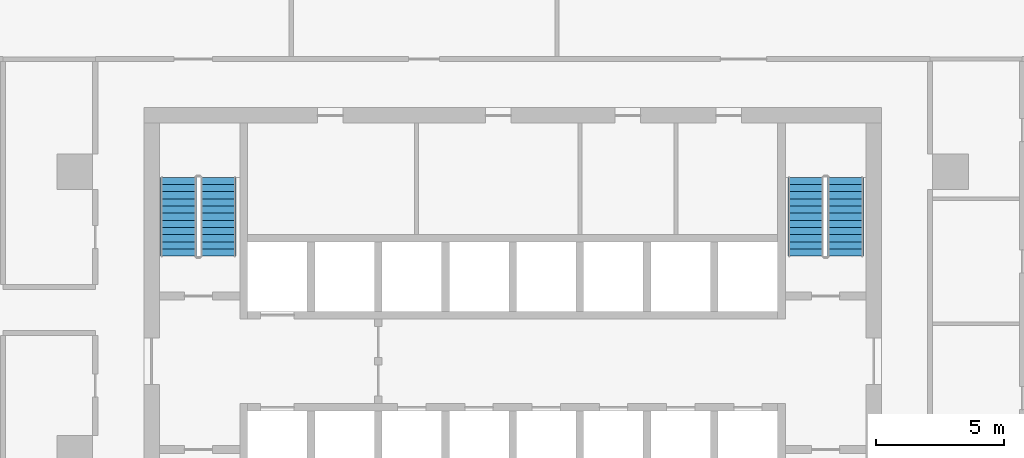
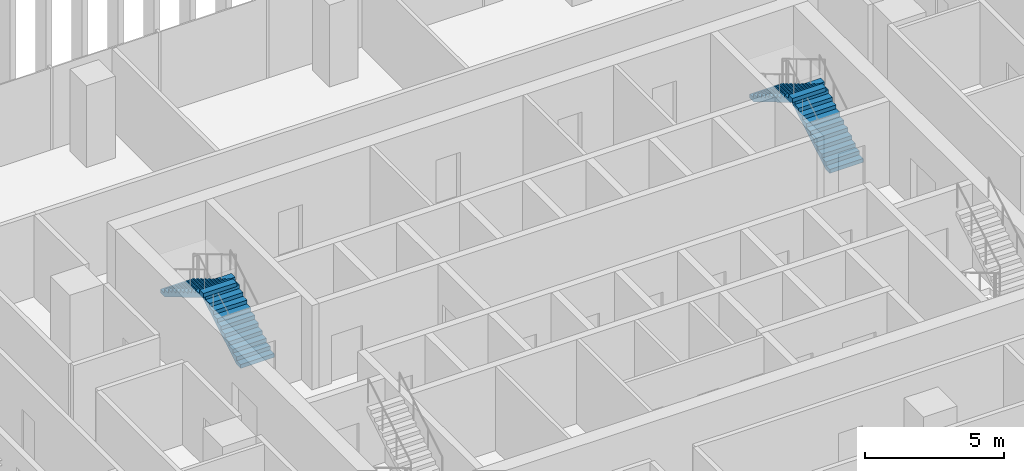
# One storey, part 11 of 15: 4 stair flights, 2 elements without a shape of their own.
"""IFC4 building model written with IfcOpenShell, lengths in metres."""

from ifc_helpers import new_model, si_unit, direction, frame, origin, place, context, subcontext, project, spatial, polyline, outline, extrude, material, type_object, element, aggregate, save


model = new_model("IFC4")

# Units and contexts
model_context = context("Model", 3, precision=1e-05, world=origin(), true_north=direction((0.0, 1.0)))
body_context = subcontext(model_context, "Body", "Model", "MODEL_VIEW")
ifc_project = project(units=[si_unit("LENGTHUNIT", "METRE"), si_unit("AREAUNIT", "SQUARE_METRE"), si_unit("VOLUMEUNIT", "CUBIC_METRE"), si_unit("PLANEANGLEUNIT", "RADIAN"), si_unit("MASSUNIT", "GRAM", prefix="KILO")], contexts=[model_context])

# Site, building, storey
site_placement = place(None, origin())
site = spatial("IfcSite", under=ifc_project, at=site_placement, CompositionType="ELEMENT")
building_placement = place(site_placement, origin())
building = spatial("IfcBuilding", under=site, at=building_placement, Name="Mopane Tessera Tower", CompositionType="ELEMENT")
storey_placement = place(building_placement, frame((0.0, 0.0, 169.0)))
storey = spatial("IfcBuildingStorey", under=building, at=storey_placement, Name="L34", CompositionType="ELEMENT", Elevation=169.0)

# Stair, stair flights
ifc_material_1 = material(Name="Concrete C50/60", Category="concrete")
stair_type = type_object("IfcStairType", Name="Escape stair 1400 mm, riser 167 mm", PredefinedType="HALF_TURN_STAIR", material=ifc_material_1)
stair_1_placement = place(storey_placement, origin())
stair_1 = element("IfcStair", 1, at=stair_1_placement, inside=storey, type_object=stair_type, Name="L34 Escape stair north-west", PredefinedType="HALF_TURN_STAIR")
ifc_material_2 = material(Name="Concrete C50/60", Category="concrete")
stair_flight_type = type_object("IfcStairFlightType", Name="Escape stair flight 1400 mm", PredefinedType="STRAIGHT", material=ifc_material_2)
stair_flight_1_placement = place(storey_placement, frame((-11.5, 7.699951171875, 0.0), z_axis=(0.0, 0.0, 1.0), x_axis=(0.0, 1.0, 0.0)))
stair_flight_1 = element("IfcStairFlight", 2, at=stair_flight_1_placement, type_object=stair_flight_type, Name="ST2 flight 1", NumberOfRisers=12, NumberOfTreads=11, PredefinedType="STRAIGHT", RiserHeight=0.166666667, TreadLength=0.28, context=body_context, shape_type="SweptSolid", body=[
    extrude(outline(polyline([(0.0, 0.0), (0.0, 0.166748046875), (0.280029296875, 0.166748046875), (0.280029296875, 0.333251953125), (0.56005859375, 0.333251953125), (0.56005859375, 0.5), (0.840087890625, 0.5), (0.840087890625, 0.666748046875), (1.1201171875, 0.666748046875), (1.1201171875, 0.833251953125), (1.39990234375, 0.833251953125), (1.39990234375, 1.0), (1.679931640625, 1.0), (1.679931640625, 1.166748046875), (1.9599609375, 1.166748046875), (1.9599609375, 1.333251953125), (2.239990234375, 1.333251953125), (2.239990234375, 1.5), (2.52001953125, 1.5), (2.52001953125, 1.666748046875), (2.800048828125, 1.666748046875), (2.800048828125, 1.833251953125), (3.080078125, 1.833251953125), (3.080078125, 2.0), (3.080078125, 1.658935546875), (0.29296875, 0.0), (0.0, 0.0)])), frame((0.0, 0.699951171875, 0.0), z_axis=(0.0, -1.0, 0.0), x_axis=(1.0, 0.0, 0.0)), (0.0, 0.0, 1.0), 1.39990234375),
])
stair_flight_2_placement = place(storey_placement, frame((-13.050048828125, 10.780029296875, 2.0), z_axis=(0.0, 0.0, 1.0), x_axis=(0.0, -1.0, 0.0)))
stair_flight_2 = element("IfcStairFlight", 3, at=stair_flight_2_placement, type_object=stair_flight_type, Name="ST2 flight 2", NumberOfRisers=12, NumberOfTreads=11, PredefinedType="STRAIGHT", RiserHeight=0.166666667, TreadLength=0.28, context=body_context, shape_type="SweptSolid", body=[
    extrude(outline(polyline([(0.0, 0.0), (0.0, 0.166748046875), (0.280029296875, 0.166748046875), (0.280029296875, 0.333251953125), (0.56005859375, 0.333251953125), (0.56005859375, 0.5), (0.840087890625, 0.5), (0.840087890625, 0.666748046875), (1.1201171875, 0.666748046875), (1.1201171875, 0.833251953125), (1.39990234375, 0.833251953125), (1.39990234375, 1.0), (1.679931640625, 1.0), (1.679931640625, 1.166748046875), (1.9599609375, 1.166748046875), (1.9599609375, 1.333251953125), (2.239990234375, 1.333251953125), (2.239990234375, 1.5), (2.52001953125, 1.5), (2.52001953125, 1.666748046875), (2.800048828125, 1.666748046875), (2.800048828125, 1.833251953125), (3.080078125, 1.833251953125), (3.080078125, 2.0), (3.080078125, 1.658935546875), (0.29296875, 0.0), (0.0, 0.0)])), frame((0.0, 0.699951171875, 0.0), z_axis=(0.0, -1.0, 0.0), x_axis=(1.0, 0.0, 0.0)), (0.0, 0.0, 1.0), 1.39990234375),
])
aggregate(stair_1, [stair_flight_1, stair_flight_2])

stair_2_placement = place(storey_placement, origin())
stair_2 = element("IfcStair", 4, at=stair_2_placement, inside=storey, type_object=stair_type, Name="L34 Escape stair north-east", PredefinedType="HALF_TURN_STAIR")
stair_flight_3_placement = place(storey_placement, frame((13.0, 7.699951171875, 0.0), z_axis=(0.0, 0.0, 1.0), x_axis=(0.0, 1.0, 0.0)))
stair_flight_3 = element("IfcStairFlight", 5, at=stair_flight_3_placement, type_object=stair_flight_type, Name="ST4 flight 1", NumberOfRisers=12, NumberOfTreads=11, PredefinedType="STRAIGHT", RiserHeight=0.166666667, TreadLength=0.28, context=body_context, shape_type="SweptSolid", body=[
    extrude(outline(polyline([(0.0, 0.0), (0.0, 0.166748046875), (0.280029296875, 0.166748046875), (0.280029296875, 0.333251953125), (0.56005859375, 0.333251953125), (0.56005859375, 0.5), (0.840087890625, 0.5), (0.840087890625, 0.666748046875), (1.1201171875, 0.666748046875), (1.1201171875, 0.833251953125), (1.39990234375, 0.833251953125), (1.39990234375, 1.0), (1.679931640625, 1.0), (1.679931640625, 1.166748046875), (1.9599609375, 1.166748046875), (1.9599609375, 1.333251953125), (2.239990234375, 1.333251953125), (2.239990234375, 1.5), (2.52001953125, 1.5), (2.52001953125, 1.666748046875), (2.800048828125, 1.666748046875), (2.800048828125, 1.833251953125), (3.080078125, 1.833251953125), (3.080078125, 2.0), (3.080078125, 1.658935546875), (0.29296875, 0.0), (0.0, 0.0)])), frame((0.0, 0.699951171875, 0.0), z_axis=(0.0, -1.0, 0.0), x_axis=(1.0, 0.0, 0.0)), (0.0, 0.0, 1.0), 1.39990234375),
])
stair_flight_4_placement = place(storey_placement, frame((11.449951171875, 10.780029296875, 2.0), z_axis=(0.0, 0.0, 1.0), x_axis=(0.0, -1.0, 0.0)))
stair_flight_4 = element("IfcStairFlight", 6, at=stair_flight_4_placement, type_object=stair_flight_type, Name="ST4 flight 2", NumberOfRisers=12, NumberOfTreads=11, PredefinedType="STRAIGHT", RiserHeight=0.166666667, TreadLength=0.28, context=body_context, shape_type="SweptSolid", body=[
    extrude(outline(polyline([(0.0, 0.0), (0.0, 0.166748046875), (0.280029296875, 0.166748046875), (0.280029296875, 0.333251953125), (0.56005859375, 0.333251953125), (0.56005859375, 0.5), (0.840087890625, 0.5), (0.840087890625, 0.666748046875), (1.1201171875, 0.666748046875), (1.1201171875, 0.833251953125), (1.39990234375, 0.833251953125), (1.39990234375, 1.0), (1.679931640625, 1.0), (1.679931640625, 1.166748046875), (1.9599609375, 1.166748046875), (1.9599609375, 1.333251953125), (2.239990234375, 1.333251953125), (2.239990234375, 1.5), (2.52001953125, 1.5), (2.52001953125, 1.666748046875), (2.800048828125, 1.666748046875), (2.800048828125, 1.833251953125), (3.080078125, 1.833251953125), (3.080078125, 2.0), (3.080078125, 1.658935546875), (0.29296875, 0.0), (0.0, 0.0)])), frame((0.0, 0.699951171875, 0.0), z_axis=(0.0, -1.0, 0.0), x_axis=(1.0, 0.0, 0.0)), (0.0, 0.0, 1.0), 1.39990234375),
])
aggregate(stair_2, [stair_flight_3, stair_flight_4])

save(model, "model.ifc")
